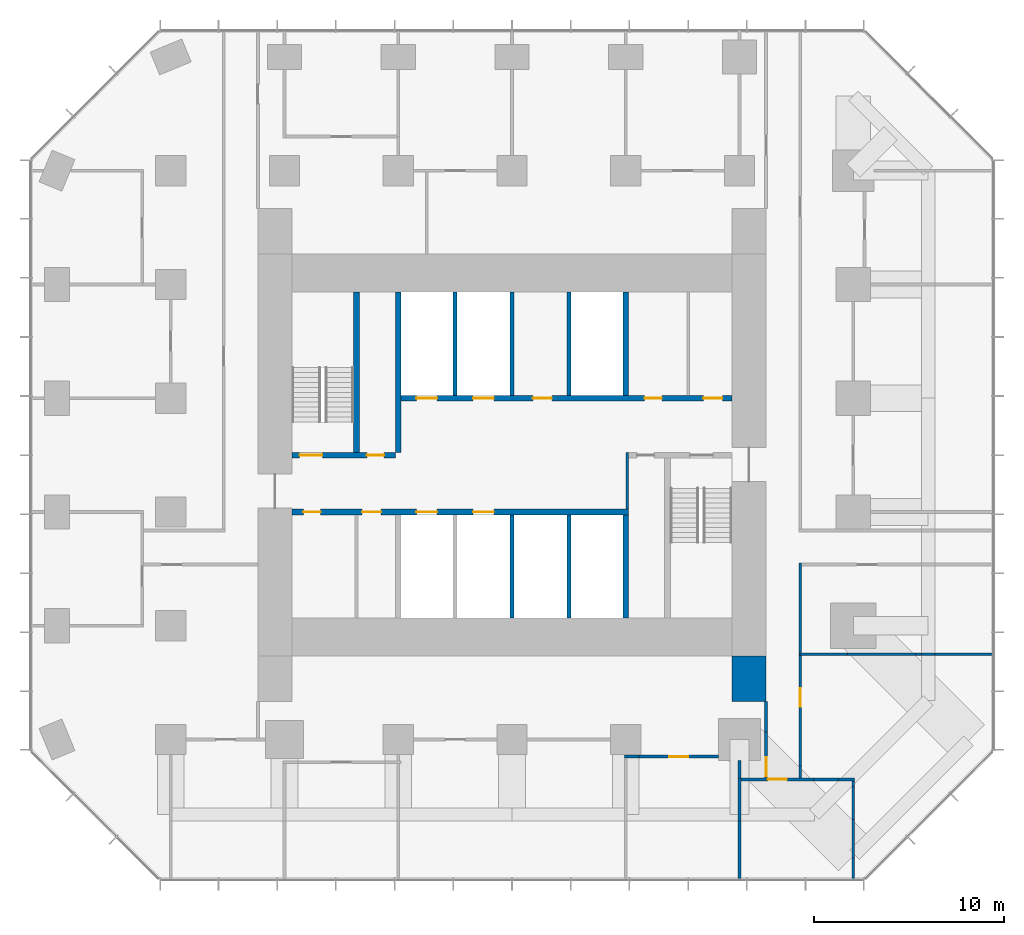
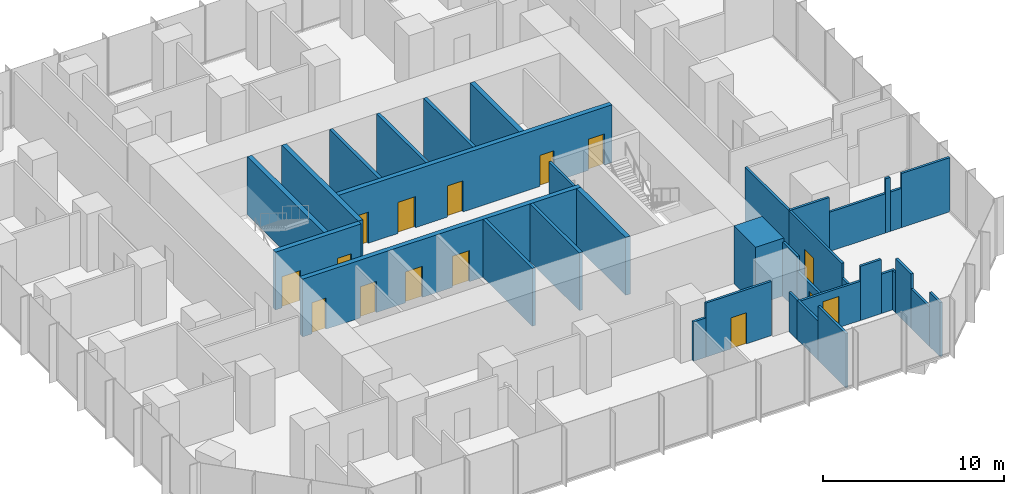
# One storey, part 9 of 12: 36 walls, 15 doors, 15 openings.
"""IFC4 building model written with IfcOpenShell, lengths in metres."""

from ifc_helpers import new_model, si_unit, direction, frame, frame_2d, origin, place, context, subcontext, project, spatial, rectangle, extrude, material, layer, layer_set, type_object, element, fill, save


model = new_model("IFC4")

# Units and contexts
model_context = context("Model", 3, precision=1e-05, world=origin(), true_north=direction((0.0, 1.0)))
body_context = subcontext(model_context, "Body", "Model", "MODEL_VIEW")
ifc_project = project(units=[si_unit("LENGTHUNIT", "METRE"), si_unit("AREAUNIT", "SQUARE_METRE"), si_unit("VOLUMEUNIT", "CUBIC_METRE"), si_unit("PLANEANGLEUNIT", "RADIAN"), si_unit("MASSUNIT", "GRAM", prefix="KILO")], contexts=[model_context])

# Site, building, storey
site_placement = place(None, origin())
site = spatial("IfcSite", under=ifc_project, at=site_placement, CompositionType="ELEMENT")
building_placement = place(site_placement, origin())
building = spatial("IfcBuilding", under=site, at=building_placement, Name="Highveld Stack Headquarters", CompositionType="ELEMENT")
storey_placement = place(building_placement, frame((0.0, 0.0, 148.39990234375)))
storey = spatial("IfcBuildingStorey", under=building, at=storey_placement, Name="L36", CompositionType="ELEMENT", Elevation=148.39990234375)

# Wall, openings, doors
ifc_material_1 = material(Name="Concrete C60/75", Category="concrete")
ifc_layer_1 = layer(ifc_material_1, 0.300048828125)
ifc_layer_set_1 = layer_set([ifc_layer_1], Name="Concrete C60/75")
wall_type_1 = type_object("IfcWallType", Name="CORE WALL 300 C60/75", PredefinedType="SHEAR", material=ifc_layer_set_1)
wall_1_placement = place(storey_placement, frame((-5.60009765625, 0.0, 0.0), z_axis=(0.0, 0.0, 1.0), x_axis=(1.0, 0.0, 0.0)))
wall_1 = element("IfcWall", 1, at=wall_1_placement, inside=storey, type_object=wall_type_1, Name="Core wall I-Y0 L36", PredefinedType="SHEAR", context=body_context, shape_type="SweptSolid", body=[
    extrude(rectangle(XDim=17.75, YDim=0.300048828125, at=frame_2d((8.875, 0.0))), origin(), (0.0, 0.0, 1.0), 3.900146484375),
])
opening_1_placement = place(wall_1_placement, frame((0.60009765625, 0.0, 0.0)))
opening_1 = element("IfcOpeningElement", 2, at=opening_1_placement, cuts=wall_1, Name="Opening L36-07", PredefinedType="OPENING", context=body_context, shape_type="SweptSolid", body=[
    extrude(rectangle(XDim=0.89990234375, YDim=2.10009765625, at=frame_2d((0.449951171875, 1.050048828125))), frame((0.0, 0.159912109375, 0.0), z_axis=(0.0, -1.0, 0.0), x_axis=(1.0, 0.0, 0.0)), (0.0, 0.0, 1.0), 0.320068359375),
])
opening_2_placement = place(wall_1_placement, frame((3.699951171875, 0.0, 0.0)))
opening_2 = element("IfcOpeningElement", 3, at=opening_2_placement, cuts=wall_1, Name="Opening L36-08", PredefinedType="OPENING", context=body_context, shape_type="SweptSolid", body=[
    extrude(rectangle(XDim=1.0, YDim=2.10009765625, at=frame_2d((0.5, 1.050048828125))), frame((0.0, 0.159912109375, 0.0), z_axis=(0.0, -1.0, 0.0), x_axis=(1.0, 0.0, 0.0)), (0.0, 0.0, 1.0), 0.320068359375),
])
opening_3_placement = place(wall_1_placement, frame((6.550048828125, 0.0, 0.0)))
opening_3 = element("IfcOpeningElement", 4, at=opening_3_placement, cuts=wall_1, Name="Opening LD", PredefinedType="OPENING", context=body_context, shape_type="SweptSolid", body=[
    extrude(rectangle(XDim=1.10009765625, YDim=2.10009765625, at=frame_2d((0.550048828125, 1.050048828125))), frame((0.0, 0.159912109375, 0.0), z_axis=(0.0, -1.0, 0.0), x_axis=(1.0, 0.0, 0.0)), (0.0, 0.0, 1.0), 0.320068359375),
])
opening_4_placement = place(wall_1_placement, frame((9.550048828125, 0.0, 0.0)))
opening_4 = element("IfcOpeningElement", 5, at=opening_4_placement, cuts=wall_1, Name="Opening LD", PredefinedType="OPENING", context=body_context, shape_type="SweptSolid", body=[
    extrude(rectangle(XDim=1.10009765625, YDim=2.10009765625, at=frame_2d((0.550048828125, 1.050048828125))), frame((0.0, 0.159912109375, 0.0), z_axis=(0.0, -1.0, 0.0), x_axis=(1.0, 0.0, 0.0)), (0.0, 0.0, 1.0), 0.320068359375),
])
ifc_material_2 = material(Name="Steel fire door", Category="steel")
door_type_1 = type_object("IfcDoorType", Name="CORE ROOM FIRE DOOR D14 1000x2100", OperationType="SINGLE_SWING_LEFT", PredefinedType="DOOR", material=ifc_material_2)
door_1_placement = place(opening_2_placement, origin())
door_1 = element("IfcDoor", 6, at=door_1_placement, inside=storey, type_object=door_type_1, Name="Cleaners store door L36", OperationType="SINGLE_SWING_LEFT", OverallHeight=2.10009765625, OverallWidth=1.0, PredefinedType="DOOR", context=body_context, shape_type="SweptSolid", body=[
    extrude(rectangle(XDim=1.0, YDim=2.10009765625, at=frame_2d((0.5, 1.050048828125))), frame((0.0, 0.02490234375, 0.0), z_axis=(0.0, -1.0, 0.0), x_axis=(1.0, 0.0, 0.0)), (0.0, 0.0, 1.0), 0.050048828125),
])
fill(opening_2, door_1)
ifc_material_3 = material(Name="Stainless steel lift landing door", Category="steel")
door_type_2 = type_object("IfcDoorType", Name="LIFT LANDING DOOR LD 1100x2100", OperationType="DOUBLE_DOOR_SLIDING", PredefinedType="USERDEFINED", material=ifc_material_3)
door_2_placement = place(opening_3_placement, origin())
door_2 = element("IfcDoor", 7, at=door_2_placement, inside=storey, type_object=door_type_2, Name="Lift landing door B1 L36", ObjectType="LIFT LANDING DOOR", OperationType="DOUBLE_DOOR_SLIDING", OverallHeight=2.10009765625, OverallWidth=1.10009765625, PredefinedType="USERDEFINED", context=body_context, shape_type="SweptSolid", body=[
    extrude(rectangle(XDim=1.10009765625, YDim=2.10009765625, at=frame_2d((0.550048828125, 1.050048828125))), frame((0.0, 0.02490234375, 0.0), z_axis=(0.0, -1.0, 0.0), x_axis=(1.0, 0.0, 0.0)), (0.0, 0.0, 1.0), 0.050048828125),
])
fill(opening_3, door_2)
door_3_placement = place(opening_4_placement, origin())
door_3 = element("IfcDoor", 8, at=door_3_placement, inside=storey, type_object=door_type_2, Name="Lift landing door B2 L36", ObjectType="LIFT LANDING DOOR", OperationType="DOUBLE_DOOR_SLIDING", OverallHeight=2.10009765625, OverallWidth=1.10009765625, PredefinedType="USERDEFINED", context=body_context, shape_type="SweptSolid", body=[
    extrude(rectangle(XDim=1.10009765625, YDim=2.10009765625, at=frame_2d((0.550048828125, 1.050048828125))), frame((0.0, 0.02490234375, 0.0), z_axis=(0.0, -1.0, 0.0), x_axis=(1.0, 0.0, 0.0)), (0.0, 0.0, 1.0), 0.050048828125),
])
fill(opening_4, door_3)
ifc_material_4 = material(Name="Timber door, painted", Category="wood")
door_type_3 = type_object("IfcDoorType", Name="WC DOOR D1 900x2100", OperationType="SINGLE_SWING_LEFT", PredefinedType="DOOR", material=ifc_material_4)
door_4_placement = place(opening_1_placement, origin())
door_4 = element("IfcDoor", 9, at=door_4_placement, inside=storey, type_object=door_type_3, Name="Female WC door L36", OperationType="SINGLE_SWING_LEFT", OverallHeight=2.10009765625, OverallWidth=0.89990234375, PredefinedType="DOOR", context=body_context, shape_type="SweptSolid", body=[
    extrude(rectangle(XDim=0.89990234375, YDim=2.10009765625, at=frame_2d((0.449951171875, 1.050048828125))), frame((0.0, 0.02490234375, 0.0), z_axis=(0.0, -1.0, 0.0), x_axis=(1.0, 0.0, 0.0)), (0.0, 0.0, 1.0), 0.050048828125),
])
fill(opening_1, door_4)

wall_2_placement = place(storey_placement, frame((-5.60009765625, 3.0, 0.0), z_axis=(0.0, 0.0, 1.0), x_axis=(1.0, 0.0, 0.0)))
wall_2 = element("IfcWall", 10, at=wall_2_placement, inside=storey, type_object=wall_type_1, Name="Core wall I-Y3W L36", PredefinedType="SHEAR", context=body_context, shape_type="SweptSolid", body=[
    extrude(rectangle(XDim=5.4501953125, YDim=0.300048828125, at=frame_2d((2.72509765625, 0.0))), origin(), (0.0, 0.0, 1.0), 3.900146484375),
])
opening_5_placement = place(wall_2_placement, frame((0.39990234375, 0.0, 0.0)))
opening_5 = element("IfcOpeningElement", 11, at=opening_5_placement, cuts=wall_2, Name="Opening L36-03", PredefinedType="OPENING", context=body_context, shape_type="SweptSolid", body=[
    extrude(rectangle(XDim=1.199951171875, YDim=2.10009765625, at=frame_2d((0.60009765625, 1.050048828125))), frame((0.0, 0.159912109375, 0.0), z_axis=(0.0, -1.0, 0.0), x_axis=(1.0, 0.0, 0.0)), (0.0, 0.0, 1.0), 0.320068359375),
])
opening_6_placement = place(wall_2_placement, frame((3.949951171875, 0.0, 0.0)))
opening_6 = element("IfcOpeningElement", 12, at=opening_6_placement, cuts=wall_2, Name="Opening L36-04", PredefinedType="OPENING", context=body_context, shape_type="SweptSolid", body=[
    extrude(rectangle(XDim=0.89990234375, YDim=2.10009765625, at=frame_2d((0.449951171875, 1.050048828125))), frame((0.0, 0.159912109375, 0.0), z_axis=(0.0, -1.0, 0.0), x_axis=(1.0, 0.0, 0.0)), (0.0, 0.0, 1.0), 0.320068359375),
])
ifc_material_5 = material(Name="Steel fire door", Category="steel")
door_type_4 = type_object("IfcDoorType", Name="RISER ACCESS DOOR D5 900x2100", OperationType="SINGLE_SWING_LEFT", PredefinedType="DOOR", material=ifc_material_5)
door_5_placement = place(opening_6_placement, origin())
door_5 = element("IfcDoor", 13, at=door_5_placement, inside=storey, type_object=door_type_4, Name="Riser R1 door L36", OperationType="SINGLE_SWING_RIGHT", OverallHeight=2.10009765625, OverallWidth=0.89990234375, PredefinedType="DOOR", context=body_context, shape_type="SweptSolid", body=[
    extrude(rectangle(XDim=0.89990234375, YDim=2.10009765625, at=frame_2d((0.449951171875, 1.050048828125))), frame((0.0, 0.02490234375, 0.0), z_axis=(0.0, -1.0, 0.0), x_axis=(1.0, 0.0, 0.0)), (0.0, 0.0, 1.0), 0.050048828125),
])
fill(opening_6, door_5)
ifc_material_6 = material(Name="Steel fire door", Category="steel")
door_type_5 = type_object("IfcDoorType", Name="STAIR FIRE DOOR D3 1200x2100", OperationType="SINGLE_SWING_LEFT", PredefinedType="DOOR", material=ifc_material_6)
door_6_placement = place(opening_5_placement, origin())
door_6 = element("IfcDoor", 14, at=door_6_placement, inside=storey, type_object=door_type_5, Name="Stair S1 door L36", OperationType="SINGLE_SWING_LEFT", OverallHeight=2.10009765625, OverallWidth=1.199951171875, PredefinedType="DOOR", context=body_context, shape_type="SweptSolid", body=[
    extrude(rectangle(XDim=1.199951171875, YDim=2.10009765625, at=frame_2d((0.60009765625, 1.050048828125))), frame((0.0, 0.02490234375, 0.0), z_axis=(0.0, -1.0, 0.0), x_axis=(1.0, 0.0, 0.0)), (0.0, 0.0, 1.0), 0.050048828125),
])
fill(opening_5, door_6)

wall_3_placement = place(storey_placement, frame((-0.14990234375, 6.0, 0.0), z_axis=(0.0, 0.0, 1.0), x_axis=(1.0, 0.0, 0.0)))
wall_3 = element("IfcWall", 15, at=wall_3_placement, inside=storey, type_object=wall_type_1, Name="Core wall I-Y6 L36", PredefinedType="SHEAR", context=body_context, shape_type="SweptSolid", body=[
    extrude(rectangle(XDim=17.75, YDim=0.300048828125, at=frame_2d((8.875, 0.0))), origin(), (0.0, 0.0, 1.0), 3.900146484375),
])
opening_7_placement = place(wall_3_placement, frame((13.14990234375, 0.0, 0.0)))
opening_7 = element("IfcOpeningElement", 16, at=opening_7_placement, cuts=wall_3, Name="Opening L36-09", PredefinedType="OPENING", context=body_context, shape_type="SweptSolid", body=[
    extrude(rectangle(XDim=0.89990234375, YDim=2.10009765625, at=frame_2d((0.449951171875, 1.050048828125))), frame((0.0, 0.159912109375, 0.0), z_axis=(0.0, -1.0, 0.0), x_axis=(1.0, 0.0, 0.0)), (0.0, 0.0, 1.0), 0.320068359375),
])
opening_8_placement = place(wall_3_placement, frame((16.25, 0.0, 0.0)))
opening_8 = element("IfcOpeningElement", 17, at=opening_8_placement, cuts=wall_3, Name="Opening L36-10", PredefinedType="OPENING", context=body_context, shape_type="SweptSolid", body=[
    extrude(rectangle(XDim=1.0, YDim=2.10009765625, at=frame_2d((0.5, 1.050048828125))), frame((0.0, 0.159912109375, 0.0), z_axis=(0.0, -1.0, 0.0), x_axis=(1.0, 0.0, 0.0)), (0.0, 0.0, 1.0), 0.320068359375),
])
opening_9_placement = place(wall_3_placement, frame((7.25, 0.0, 0.0)))
opening_9 = element("IfcOpeningElement", 18, at=opening_9_placement, cuts=wall_3, Name="Opening L36-11", PredefinedType="OPENING", context=body_context, shape_type="SweptSolid", body=[
    extrude(rectangle(XDim=1.0, YDim=2.10009765625, at=frame_2d((0.5, 1.050048828125))), frame((0.0, 0.159912109375, 0.0), z_axis=(0.0, -1.0, 0.0), x_axis=(1.0, 0.0, 0.0)), (0.0, 0.0, 1.0), 0.320068359375),
])
opening_10_placement = place(wall_3_placement, frame((1.10009765625, 0.0, 0.0)))
opening_10 = element("IfcOpeningElement", 19, at=opening_10_placement, cuts=wall_3, Name="Opening LD", PredefinedType="OPENING", context=body_context, shape_type="SweptSolid", body=[
    extrude(rectangle(XDim=1.10009765625, YDim=2.10009765625, at=frame_2d((0.550048828125, 1.050048828125))), frame((0.0, 0.159912109375, 0.0), z_axis=(0.0, -1.0, 0.0), x_axis=(1.0, 0.0, 0.0)), (0.0, 0.0, 1.0), 0.320068359375),
])
opening_11_placement = place(wall_3_placement, frame((4.10009765625, 0.0, 0.0)))
opening_11 = element("IfcOpeningElement", 20, at=opening_11_placement, cuts=wall_3, Name="Opening LD", PredefinedType="OPENING", context=body_context, shape_type="SweptSolid", body=[
    extrude(rectangle(XDim=1.10009765625, YDim=2.10009765625, at=frame_2d((0.550048828125, 1.050048828125))), frame((0.0, 0.159912109375, 0.0), z_axis=(0.0, -1.0, 0.0), x_axis=(1.0, 0.0, 0.0)), (0.0, 0.0, 1.0), 0.320068359375),
])
ifc_material_7 = material(Name="Timber door, painted", Category="wood")
door_type_6 = type_object("IfcDoorType", Name="ACCESSIBLE WC DOOR D2 1000x2100", OperationType="SINGLE_SWING_RIGHT", PredefinedType="DOOR", material=ifc_material_7)
door_7_placement = place(opening_8_placement, origin())
door_7 = element("IfcDoor", 21, at=door_7_placement, inside=storey, type_object=door_type_6, Name="Accessible WC door L36", OperationType="SINGLE_SWING_RIGHT", OverallHeight=2.10009765625, OverallWidth=1.0, PredefinedType="DOOR", context=body_context, shape_type="SweptSolid", body=[
    extrude(rectangle(XDim=1.0, YDim=2.10009765625, at=frame_2d((0.5, 1.050048828125))), frame((0.0, 0.02490234375, 0.0), z_axis=(0.0, -1.0, 0.0), x_axis=(1.0, 0.0, 0.0)), (0.0, 0.0, 1.0), 0.050048828125),
])
fill(opening_8, door_7)
door_8_placement = place(opening_9_placement, origin())
door_8 = element("IfcDoor", 22, at=door_8_placement, inside=storey, type_object=door_type_1, Name="Capped A 1 door L36", OperationType="SINGLE_SWING_LEFT", OverallHeight=2.10009765625, OverallWidth=1.0, PredefinedType="DOOR", context=body_context, shape_type="SweptSolid", body=[
    extrude(rectangle(XDim=1.0, YDim=2.10009765625, at=frame_2d((0.5, 1.050048828125))), frame((0.0, 0.02490234375, 0.0), z_axis=(0.0, -1.0, 0.0), x_axis=(1.0, 0.0, 0.0)), (0.0, 0.0, 1.0), 0.050048828125),
])
fill(opening_9, door_8)
door_9_placement = place(opening_10_placement, origin())
door_9 = element("IfcDoor", 23, at=door_9_placement, inside=storey, type_object=door_type_2, Name="Lift landing door FF1 L36", ObjectType="LIFT LANDING DOOR", OperationType="DOUBLE_DOOR_SLIDING", OverallHeight=2.10009765625, OverallWidth=1.10009765625, PredefinedType="USERDEFINED", context=body_context, shape_type="SweptSolid", body=[
    extrude(rectangle(XDim=1.10009765625, YDim=2.10009765625, at=frame_2d((0.550048828125, 1.050048828125))), frame((0.0, 0.02490234375, 0.0), z_axis=(0.0, -1.0, 0.0), x_axis=(1.0, 0.0, 0.0)), (0.0, 0.0, 1.0), 0.050048828125),
])
fill(opening_10, door_9)
door_10_placement = place(opening_11_placement, origin())
door_10 = element("IfcDoor", 24, at=door_10_placement, inside=storey, type_object=door_type_2, Name="Lift landing door FF2 L36", ObjectType="LIFT LANDING DOOR", OperationType="DOUBLE_DOOR_SLIDING", OverallHeight=2.10009765625, OverallWidth=1.10009765625, PredefinedType="USERDEFINED", context=body_context, shape_type="SweptSolid", body=[
    extrude(rectangle(XDim=1.10009765625, YDim=2.10009765625, at=frame_2d((0.550048828125, 1.050048828125))), frame((0.0, 0.02490234375, 0.0), z_axis=(0.0, -1.0, 0.0), x_axis=(1.0, 0.0, 0.0)), (0.0, 0.0, 1.0), 0.050048828125),
])
fill(opening_11, door_10)
door_11_placement = place(opening_7_placement, origin())
door_11 = element("IfcDoor", 25, at=door_11_placement, inside=storey, type_object=door_type_3, Name="Male WC door L36", OperationType="SINGLE_SWING_RIGHT", OverallHeight=2.10009765625, OverallWidth=0.89990234375, PredefinedType="DOOR", context=body_context, shape_type="SweptSolid", body=[
    extrude(rectangle(XDim=0.89990234375, YDim=2.10009765625, at=frame_2d((0.449951171875, 1.050048828125))), frame((0.0, 0.02490234375, 0.0), z_axis=(0.0, -1.0, 0.0), x_axis=(1.0, 0.0, 0.0)), (0.0, 0.0, 1.0), 0.050048828125),
])
fill(opening_7, door_11)

# Walls
wall_4_placement = place(storey_placement, frame((0.0, 3.14990234375, 0.0), z_axis=(0.0, 0.0, 1.0), x_axis=(0.0, 1.0, 0.0)))
element("IfcWall", 26, at=wall_4_placement, inside=storey, type_object=wall_type_1, Name="Core wall I-X0N L36", PredefinedType="SHEAR", context=body_context, shape_type="SweptSolid", body=[
    extrude(rectangle(XDim=8.4501953125, YDim=0.300048828125, at=frame_2d((4.22509765625, 0.0))), origin(), (0.0, 0.0, 1.0), 3.900146484375),
])
for number, where, z_axis, x_axis, name in (
    (27, (12.0, -5.60009765625, 0.0), (0.0, 0.0, 1.0), (0.0, 1.0, 0.0), "Core wall I-X12S L36"),
    (28, (12.0, 6.14990234375, 0.0), (0.0, 0.0, 1.0), (0.0, 1.0, 0.0), "Core wall I-X12N L36"),
):
    element("IfcWall", number, at=place(storey_placement, frame(where, z_axis=z_axis, x_axis=x_axis)), inside=storey, type_object=wall_type_1, Name=name, PredefinedType="SHEAR", context=body_context, shape_type="SweptSolid", body=[
        extrude(rectangle(XDim=5.4501953125, YDim=0.300048828125, at=frame_2d((2.72509765625, 0.0))), origin(), (0.0, 0.0, 1.0), 3.900146484375),
    ])
wall_5_placement = place(storey_placement, frame((-2.199951171875, 3.14990234375, 0.0), z_axis=(0.0, 0.0, 1.0), x_axis=(0.0, 1.0, 0.0)))
element("IfcWall", 29, at=wall_5_placement, inside=storey, type_object=wall_type_1, Name="Core wall I-RW L36", PredefinedType="SHEAR", context=body_context, shape_type="SweptSolid", body=[
    extrude(rectangle(XDim=8.4501953125, YDim=0.300048828125, at=frame_2d((4.22509765625, 0.0))), origin(), (0.0, 0.0, 1.0), 3.900146484375),
])
ifc_material_8 = material(Name="Concrete C60/75", Category="concrete")
ifc_layer_2 = layer(ifc_material_8, 1.800048828125)
ifc_layer_set_2 = layer_set([ifc_layer_2], Name="Concrete C60/75")
wall_type_2 = type_object("IfcWallType", Name="CORE WING WALL 1800 C60/75", PredefinedType="SHEAR", material=ifc_layer_set_2)
wall_6_placement = place(storey_placement, frame((18.5, -10.0, 0.0), z_axis=(0.0, 0.0, 1.0), x_axis=(0.0, 1.0, 0.0)))
element("IfcWall", 30, at=wall_6_placement, inside=storey, type_object=wall_type_2, Name="Core wing wall ES L36", PredefinedType="SHEAR", context=body_context, shape_type="SweptSolid", body=[
    extrude(rectangle(XDim=2.39990234375, YDim=1.800048828125, at=frame_2d((1.199951171875, 0.0))), origin(), (0.0, 0.0, 1.0), 3.900146484375),
])
ifc_material_9 = material(Name="Concrete blockwork, plastered", Category="masonry")
ifc_layer_3 = layer(ifc_material_9, 0.14990234375)
ifc_layer_set_3 = layer_set([ifc_layer_3], Name="Concrete blockwork, plastered")
wall_type_3 = type_object("IfcWallType", Name="FIRE PARTITION 150 BLOCKWORK", PredefinedType="PARTITIONING", material=ifc_layer_set_3)
wall_7_placement = place(storey_placement, frame((12.074951171875, 0.14990234375, 0.0), z_axis=(0.0, 0.0, 1.0), x_axis=(0.0, 1.0, 0.0)))
element("IfcWall", 31, at=wall_7_placement, inside=storey, type_object=wall_type_3, Name="Riser R2 enclosure L36", PredefinedType="PARTITIONING", context=body_context, shape_type="SweptSolid", body=[
    extrude(rectangle(XDim=3.0, YDim=0.14990234375, at=frame_2d((1.5, 0.0))), origin(), (0.0, 0.0, 1.0), 3.650146484375),
])
ifc_material_10 = material(Name="Concrete blockwork, fair-faced", Category="masonry")
ifc_layer_4 = layer(ifc_material_10, 0.199951171875)
ifc_layer_set_4 = layer_set([ifc_layer_4], Name="Concrete blockwork, fair-faced")
wall_type_4 = type_object("IfcWallType", Name="LIFT SHAFT ENCLOSURE WALL 200 BLOCKWORK", PredefinedType="SOLIDWALL", material=ifc_layer_set_4)
for number, where, z_axis, x_axis, name in (
    (32, (3.0, 6.14990234375, 0.0), (0.0, 0.0, 1.0), (0.0, 1.0, 0.0), "Lift shaft wall L36"),
    (33, (6.0, 6.14990234375, 0.0), (0.0, 0.0, 1.0), (0.0, 1.0, 0.0), "Lift shaft wall L36"),
    (34, (9.0, 6.14990234375, 0.0), (0.0, 0.0, 1.0), (0.0, 1.0, 0.0), "Lift shaft wall L36"),
    (35, (6.0, -5.60009765625, 0.0), (0.0, 0.0, 1.0), (0.0, 1.0, 0.0), "Lift shaft wall L36"),
    (36, (9.0, -5.60009765625, 0.0), (0.0, 0.0, 1.0), (0.0, 1.0, 0.0), "Lift shaft wall L36"),
):
    element("IfcWall", number, at=place(storey_placement, frame(where, z_axis=z_axis, x_axis=x_axis)), inside=storey, type_object=wall_type_4, Name=name, PredefinedType="SOLIDWALL", context=body_context, shape_type="SweptSolid", body=[
        extrude(rectangle(XDim=5.4501953125, YDim=0.199951171875, at=frame_2d((2.72509765625, 0.0))), origin(), (0.0, 0.0, 1.0), 3.900146484375),
    ])

# Wall, opening, door
ifc_material_11 = material(Name="Gypsum plasterboard on steel studs", Category="steel")
ifc_layer_5 = layer(ifc_material_11, 0.14990234375)
ifc_layer_set_5 = layer_set([ifc_layer_5], Name="Gypsum plasterboard on steel studs")
wall_type_5 = type_object("IfcWallType", Name="PARTITION 150 PLASTERBOARD", PredefinedType="PARTITIONING", material=ifc_layer_set_5)
wall_8_placement = place(storey_placement, frame((21.89208984375, -14.10009765625, 0.0), z_axis=(0.0, 0.0, 1.0), x_axis=(-1.0, 0.0, 0.0)))
wall_8 = element("IfcWall", 37, at=wall_8_placement, inside=storey, type_object=wall_type_5, Name="Partition Focus room L36", PredefinedType="PARTITIONING", context=body_context, shape_type="SweptSolid", body=[
    extrude(rectangle(XDim=3.817138671875, YDim=0.14990234375, at=frame_2d((1.90869140625, 0.0))), origin(), (0.0, 0.0, 1.0), 2.650146484375),
])
opening_12_placement = place(wall_8_placement, frame((1.39208984375, 0.0, 0.0)))
opening_12 = element("IfcOpeningElement", 38, at=opening_12_placement, cuts=wall_8, Name="Opening L36-16", PredefinedType="OPENING", context=body_context, shape_type="SweptSolid", body=[
    extrude(rectangle(XDim=1.0, YDim=2.10009765625, at=frame_2d((0.5, 1.050048828125))), frame((0.0, 0.0849609375, 0.0), z_axis=(0.0, -1.0, 0.0), x_axis=(1.0, 0.0, 0.0)), (0.0, 0.0, 1.0), 0.169921875),
])
ifc_material_12 = material(Name="Timber door, oiled ash", Category="wood")
door_type_7 = type_object("IfcDoorType", Name="ROOM DOOR D6 1000x2100", OperationType="SINGLE_SWING_LEFT", PredefinedType="DOOR", material=ifc_material_12)
door_12_placement = place(opening_12_placement, origin())
door_12 = element("IfcDoor", 39, at=door_12_placement, inside=storey, type_object=door_type_7, Name="Focus room door 1 L36", OperationType="SINGLE_SWING_LEFT", OverallHeight=2.10009765625, OverallWidth=1.0, PredefinedType="DOOR", context=body_context, shape_type="SweptSolid", body=[
    extrude(rectangle(XDim=1.0, YDim=2.10009765625, at=frame_2d((0.5, 1.050048828125))), frame((0.0, 0.02490234375, 0.0), z_axis=(0.0, -1.0, 0.0), x_axis=(1.0, 0.0, 0.0)), (0.0, 0.0, 1.0), 0.050048828125),
])
fill(opening_12, door_12)

# Walls
wall_9_placement = place(storey_placement, frame((21.89208984375, -14.10009765625, 0.0), z_axis=(0.0, 0.0, 1.0), x_axis=(1.0, 0.0, 0.0)))
element("IfcWall", 40, at=wall_9_placement, inside=storey, type_object=wall_type_5, Name="Partition Focus room L36", PredefinedType="PARTITIONING", context=body_context, shape_type="SweptSolid", body=[
    extrude(rectangle(XDim=1.31787109375, YDim=0.14990234375, at=frame_2d((0.658935546875, 0.0))), origin(), (0.0, 0.0, 1.0), 3.650146484375),
])
wall_10_placement = place(storey_placement, frame((23.2099609375, -14.10009765625, 0.0), z_axis=(0.0, 0.0, 1.0), x_axis=(1.0, 0.0, 0.0)))
element("IfcWall", 41, at=wall_10_placement, inside=storey, type_object=wall_type_5, Name="Partition Focus room L36", PredefinedType="PARTITIONING", context=body_context, shape_type="SweptSolid", body=[
    extrude(rectangle(XDim=0.864990234375, YDim=0.14990234375, at=frame_2d((0.4326171875, 0.0))), origin(), (0.0, 0.0, 1.0), 2.650146484375),
])
wall_11_placement = place(storey_placement, frame((11.925048828125, -12.89990234375, 0.0), z_axis=(0.0, 0.0, 1.0), x_axis=(1.0, 0.0, 0.0)))
element("IfcWall", 42, at=wall_11_placement, inside=storey, type_object=wall_type_5, Name="Partition Interview room L36", PredefinedType="PARTITIONING", context=body_context, shape_type="SweptSolid", body=[
    extrude(rectangle(XDim=0.784912109375, YDim=0.14990234375, at=frame_2d((0.392578125, 0.0))), origin(), (0.0, 0.0, 1.0), 2.650146484375),
])

# Wall, opening, door
wall_12_placement = place(storey_placement, frame((12.7099609375, -12.89990234375, 0.0), z_axis=(0.0, 0.0, 1.0), x_axis=(1.0, 0.0, 0.0)))
wall_12 = element("IfcWall", 43, at=wall_12_placement, inside=storey, type_object=wall_type_5, Name="Partition Interview room L36", PredefinedType="PARTITIONING", context=body_context, shape_type="SweptSolid", body=[
    extrude(rectangle(XDim=4.18994140625, YDim=0.14990234375, at=frame_2d((2.094970703125, 0.0))), origin(), (0.0, 0.0, 1.0), 3.650146484375),
])
opening_13_placement = place(wall_12_placement, frame((1.594970703125, 0.0, 0.0)))
opening_13 = element("IfcOpeningElement", 44, at=opening_13_placement, cuts=wall_12, Name="Opening L36-15", PredefinedType="OPENING", context=body_context, shape_type="SweptSolid", body=[
    extrude(rectangle(XDim=1.0, YDim=2.10009765625, at=frame_2d((0.5, 1.050048828125))), frame((0.0, 0.0849609375, 0.0), z_axis=(0.0, -1.0, 0.0), x_axis=(1.0, 0.0, 0.0)), (0.0, 0.0, 1.0), 0.169921875),
])
door_13_placement = place(opening_13_placement, origin())
door_13 = element("IfcDoor", 45, at=door_13_placement, inside=storey, type_object=door_type_7, Name="Interview room door 1 L36", OperationType="SINGLE_SWING_LEFT", OverallHeight=2.10009765625, OverallWidth=1.0, PredefinedType="DOOR", context=body_context, shape_type="SweptSolid", body=[
    extrude(rectangle(XDim=1.0, YDim=2.10009765625, at=frame_2d((0.5, 1.050048828125))), frame((0.0, 0.02490234375, 0.0), z_axis=(0.0, -1.0, 0.0), x_axis=(1.0, 0.0, 0.0)), (0.0, 0.0, 1.0), 0.050048828125),
])
fill(opening_13, door_13)

# Walls
wall_13_placement = place(storey_placement, frame((18.0, -19.39990234375, 0.0), z_axis=(0.0, 0.0, 1.0), x_axis=(0.0, 1.0, 0.0)))
element("IfcWall", 46, at=wall_13_placement, inside=storey, type_object=wall_type_5, Name="Partition Focus room / Interview room L36", PredefinedType="PARTITIONING", context=body_context, shape_type="SweptSolid", body=[
    extrude(rectangle(XDim=3.08984375, YDim=0.14990234375, at=frame_2d((1.544921875, 0.0))), origin(), (0.0, 0.0, 1.0), 3.650146484375),
])
wall_14_placement = place(storey_placement, frame((18.0, -16.31005859375, 0.0), z_axis=(0.0, 0.0, 1.0), x_axis=(0.0, 1.0, 0.0)))
element("IfcWall", 47, at=wall_14_placement, inside=storey, type_object=wall_type_5, Name="Partition Focus room / Interview room L36", PredefinedType="PARTITIONING", context=body_context, shape_type="SweptSolid", body=[
    extrude(rectangle(XDim=2.28515625, YDim=0.14990234375, at=frame_2d((1.142578125, 0.0))), origin(), (0.0, 0.0, 1.0), 2.650146484375),
])
wall_15_placement = place(storey_placement, frame((18.0, -14.02490234375, 0.0), z_axis=(0.0, 0.0, 1.0), x_axis=(0.0, 1.0, 0.0)))
element("IfcWall", 48, at=wall_15_placement, inside=storey, type_object=wall_type_5, Name="Partition Interview room L36", PredefinedType="PARTITIONING", context=body_context, shape_type="SweptSolid", body=[
    extrude(rectangle(XDim=0.9248046875, YDim=0.14990234375, at=frame_2d((0.46240234375, 0.0))), origin(), (0.0, 0.0, 1.0), 2.650146484375),
])
wall_16_placement = place(storey_placement, frame((24.0, -19.39990234375, 0.0), z_axis=(0.0, 0.0, 1.0), x_axis=(0.0, 1.0, 0.0)))
element("IfcWall", 49, at=wall_16_placement, inside=storey, type_object=wall_type_5, Name="Partition Focus room L36", PredefinedType="PARTITIONING", context=body_context, shape_type="SweptSolid", body=[
    extrude(rectangle(XDim=1.162841796875, YDim=0.14990234375, at=frame_2d((0.58154296875, 0.0))), origin(), (0.0, 0.0, 1.0), 3.650146484375),
])
wall_17_placement = place(storey_placement, frame((24.0, -18.237060546875, 0.0), z_axis=(0.0, 0.0, 1.0), x_axis=(0.0, 1.0, 0.0)))
element("IfcWall", 50, at=wall_17_placement, inside=storey, type_object=wall_type_5, Name="Partition Focus room L36", PredefinedType="PARTITIONING", context=body_context, shape_type="SweptSolid", body=[
    extrude(rectangle(XDim=2.029052734375, YDim=0.14990234375, at=frame_2d((1.0146484375, 0.0))), origin(), (0.0, 0.0, 1.0), 2.650146484375),
])
wall_18_placement = place(storey_placement, frame((24.0, -16.2080078125, 0.0), z_axis=(0.0, 0.0, 1.0), x_axis=(0.0, 1.0, 0.0)))
element("IfcWall", 51, at=wall_18_placement, inside=storey, type_object=wall_type_5, Name="Partition Focus room L36", PredefinedType="PARTITIONING", context=body_context, shape_type="SweptSolid", body=[
    extrude(rectangle(XDim=1.718017578125, YDim=0.14990234375, at=frame_2d((0.85888671875, 0.0))), origin(), (0.0, 0.0, 1.0), 3.650146484375),
])
wall_19_placement = place(storey_placement, frame((24.0, -14.489990234375, 0.0), z_axis=(0.0, 0.0, 1.0), x_axis=(0.0, 1.0, 0.0)))
element("IfcWall", 52, at=wall_19_placement, inside=storey, type_object=wall_type_5, Name="Partition Focus room L36", PredefinedType="PARTITIONING", context=body_context, shape_type="SweptSolid", body=[
    extrude(rectangle(XDim=0.31494140625, YDim=0.14990234375, at=frame_2d((0.157470703125, 0.0))), origin(), (0.0, 0.0, 1.0), 2.650146484375),
])

# Wall, opening, door
wall_20_placement = place(storey_placement, frame((19.39990234375, -11.60791015625, 0.0), z_axis=(0.0, 0.0, 1.0), x_axis=(0.0, -1.0, 0.0)))
wall_20 = element("IfcWall", 53, at=wall_20_placement, inside=storey, type_object=wall_type_5, Name="Partition office neighbourhood L36", PredefinedType="PARTITIONING", context=body_context, shape_type="SweptSolid", body=[
    extrude(rectangle(XDim=2.4169921875, YDim=0.14990234375, at=frame_2d((1.20849609375, 0.0))), origin(), (0.0, 0.0, 1.0), 2.650146484375),
])
opening_14_placement = place(wall_20_placement, frame((1.317138671875, 0.0, 0.0)))
opening_14 = element("IfcOpeningElement", 54, at=opening_14_placement, cuts=wall_20, Name="Opening L36-32", PredefinedType="OPENING", context=body_context, shape_type="SweptSolid", body=[
    extrude(rectangle(XDim=1.0, YDim=2.10009765625, at=frame_2d((0.5, 1.050048828125))), frame((0.0, 0.0849609375, 0.0), z_axis=(0.0, -1.0, 0.0), x_axis=(1.0, 0.0, 0.0)), (0.0, 0.0, 1.0), 0.169921875),
])
door_14_placement = place(opening_14_placement, origin())
door_14 = element("IfcDoor", 55, at=door_14_placement, inside=storey, type_object=door_type_7, Name="Office neighbourhood door L36", OperationType="SINGLE_SWING_RIGHT", OverallHeight=2.10009765625, OverallWidth=1.0, PredefinedType="DOOR", context=body_context, shape_type="SweptSolid", body=[
    extrude(rectangle(XDim=1.0, YDim=2.10009765625, at=frame_2d((0.5, 1.050048828125))), frame((0.0, 0.02490234375, 0.0), z_axis=(0.0, -1.0, 0.0), x_axis=(1.0, 0.0, 0.0)), (0.0, 0.0, 1.0), 0.050048828125),
])
fill(opening_14, door_14)

# Walls
wall_21_placement = place(storey_placement, frame((19.39990234375, -11.60791015625, 0.0), z_axis=(0.0, 0.0, 1.0), x_axis=(0.0, 1.0, 0.0)))
element("IfcWall", 56, at=wall_21_placement, inside=storey, type_object=wall_type_5, Name="Partition office neighbourhood L36", PredefinedType="PARTITIONING", context=body_context, shape_type="SweptSolid", body=[
    extrude(rectangle(XDim=1.60791015625, YDim=0.14990234375, at=frame_2d((0.803955078125, 0.0))), origin(), (0.0, 0.0, 1.0), 3.650146484375),
])
wall_22_placement = place(storey_placement, frame((21.199951171875, -14.02490234375, 0.0), z_axis=(0.0, 0.0, 1.0), x_axis=(0.0, 1.0, 0.0)))
element("IfcWall", 57, at=wall_22_placement, inside=storey, type_object=wall_type_5, Name="Partition office neighbourhood L36", PredefinedType="PARTITIONING", context=body_context, shape_type="SweptSolid", body=[
    extrude(rectangle(XDim=0.616943359375, YDim=0.14990234375, at=frame_2d((0.30859375, 0.0))), origin(), (0.0, 0.0, 1.0), 2.650146484375),
])

# Wall, opening, door
wall_23_placement = place(storey_placement, frame((21.199951171875, -13.407958984375, 0.0), z_axis=(0.0, 0.0, 1.0), x_axis=(0.0, 1.0, 0.0)))
wall_23 = element("IfcWall", 58, at=wall_23_placement, inside=storey, type_object=wall_type_5, Name="Partition office neighbourhood L36", PredefinedType="PARTITIONING", context=body_context, shape_type="SweptSolid", body=[
    extrude(rectangle(XDim=5.8330078125, YDim=0.14990234375, at=frame_2d((2.91650390625, 0.0))), origin(), (0.0, 0.0, 1.0), 3.650146484375),
])
opening_15_placement = place(wall_23_placement, frame((3.123779296875, 0.0, 0.0)))
opening_15 = element("IfcOpeningElement", 59, at=opening_15_placement, cuts=wall_23, Name="Opening L36-25", PredefinedType="OPENING", context=body_context, shape_type="SweptSolid", body=[
    extrude(rectangle(XDim=1.0, YDim=2.10009765625, at=frame_2d((0.5, 1.050048828125))), frame((0.0, 0.0849609375, 0.0), z_axis=(0.0, -1.0, 0.0), x_axis=(1.0, 0.0, 0.0)), (0.0, 0.0, 1.0), 0.169921875),
])
door_15_placement = place(opening_15_placement, origin())
door_15 = element("IfcDoor", 60, at=door_15_placement, inside=storey, type_object=door_type_7, Name="Office neighbourhood door L36", OperationType="SINGLE_SWING_RIGHT", OverallHeight=2.10009765625, OverallWidth=1.0, PredefinedType="DOOR", context=body_context, shape_type="SweptSolid", body=[
    extrude(rectangle(XDim=1.0, YDim=2.10009765625, at=frame_2d((0.5, 1.050048828125))), frame((0.0, 0.02490234375, 0.0), z_axis=(0.0, -1.0, 0.0), x_axis=(1.0, 0.0, 0.0)), (0.0, 0.0, 1.0), 0.050048828125),
])
fill(opening_15, door_15)

# Walls
wall_24_placement = place(storey_placement, frame((21.199951171875, -7.574951171875, 0.0), z_axis=(0.0, 0.0, 1.0), x_axis=(0.0, 1.0, 0.0)))
element("IfcWall", 61, at=wall_24_placement, inside=storey, type_object=wall_type_5, Name="Partition office neighbourhood L36", PredefinedType="PARTITIONING", context=body_context, shape_type="SweptSolid", body=[
    extrude(rectangle(XDim=4.875, YDim=0.14990234375, at=frame_2d((2.4375, 0.0))), origin(), (0.0, 0.0, 1.0), 3.650146484375),
])
wall_25_placement = place(storey_placement, frame((21.199951171875, -7.5, 0.0), z_axis=(0.0, 0.0, 1.0), x_axis=(1.0, 0.0, 0.0)))
element("IfcWall", 62, at=wall_25_placement, inside=storey, type_object=wall_type_5, Name="Partition office neighbourhood L36", PredefinedType="PARTITIONING", context=body_context, shape_type="SweptSolid", body=[
    extrude(rectangle(XDim=2.508056640625, YDim=0.14990234375, at=frame_2d((1.25390625, 0.0))), origin(), (0.0, 0.0, 1.0), 3.650146484375),
])
wall_26_placement = place(storey_placement, frame((23.7080078125, -7.5, 0.0), z_axis=(0.0, 0.0, 1.0), x_axis=(1.0, 0.0, 0.0)))
element("IfcWall", 63, at=wall_26_placement, inside=storey, type_object=wall_type_5, Name="Partition office neighbourhood L36", PredefinedType="PARTITIONING", context=body_context, shape_type="SweptSolid", body=[
    extrude(rectangle(XDim=3.583984375, YDim=0.14990234375, at=frame_2d((1.7919921875, 0.0))), origin(), (0.0, 0.0, 1.0), 2.650146484375),
])
wall_27_placement = place(storey_placement, frame((27.2919921875, -7.5, 0.0), z_axis=(0.0, 0.0, 1.0), x_axis=(1.0, 0.0, 0.0)))
element("IfcWall", 64, at=wall_27_placement, inside=storey, type_object=wall_type_5, Name="Partition office neighbourhood L36", PredefinedType="PARTITIONING", context=body_context, shape_type="SweptSolid", body=[
    extrude(rectangle(XDim=0.298095703125, YDim=0.14990234375, at=frame_2d((0.14892578125, 0.0))), origin(), (0.0, 0.0, 1.0), 3.650146484375),
])
wall_28_placement = place(storey_placement, frame((27.590087890625, -7.5, 0.0), z_axis=(0.0, 0.0, 1.0), x_axis=(1.0, 0.0, 0.0)))
element("IfcWall", 65, at=wall_28_placement, inside=storey, type_object=wall_type_5, Name="Partition office neighbourhood L36", PredefinedType="PARTITIONING", context=body_context, shape_type="SweptSolid", body=[
    extrude(rectangle(XDim=0.719970703125, YDim=0.14990234375, at=frame_2d((0.35986328125, 0.0))), origin(), (0.0, 0.0, 1.0), 2.650146484375),
])
wall_29_placement = place(storey_placement, frame((28.31005859375, -7.5, 0.0), z_axis=(0.0, 0.0, 1.0), x_axis=(1.0, 0.0, 0.0)))
element("IfcWall", 66, at=wall_29_placement, inside=storey, type_object=wall_type_5, Name="Partition office neighbourhood L36", PredefinedType="PARTITIONING", context=body_context, shape_type="SweptSolid", body=[
    extrude(rectangle(XDim=3.08984375, YDim=0.14990234375, at=frame_2d((1.544921875, 0.0))), origin(), (0.0, 0.0, 1.0), 3.650146484375),
])

save(model, "model.ifc")
